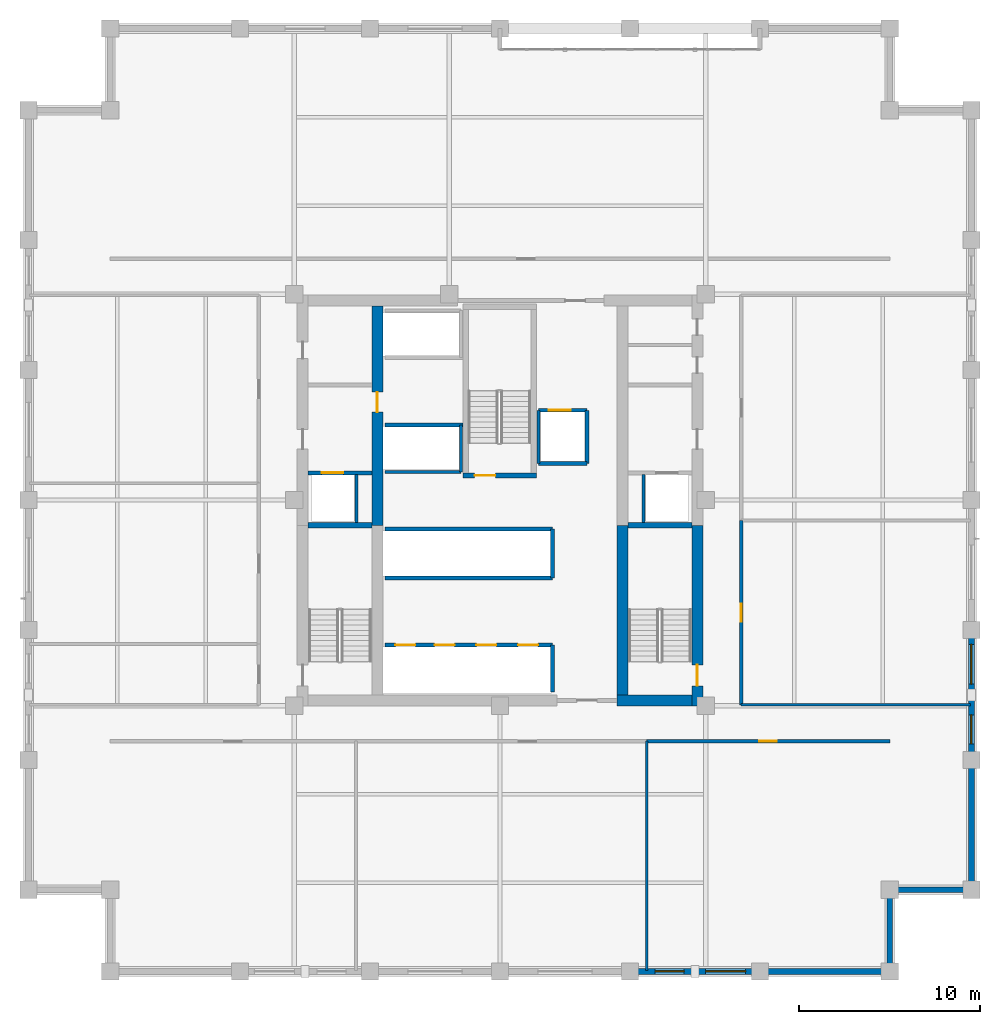
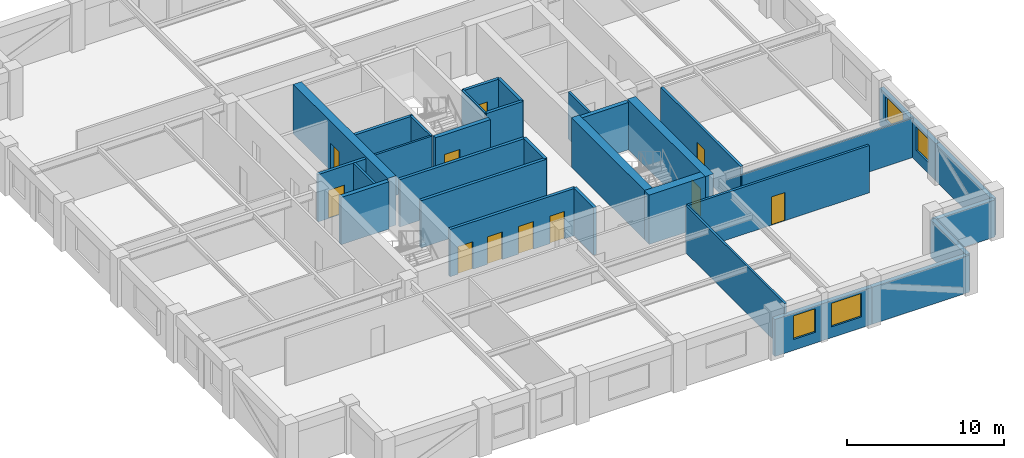
# One storey, part 7 of 11: 32 walls, 11 doors, 4 windows, 15 openings.
"""IFC4 building model written with IfcOpenShell, lengths in metres."""

from ifc_helpers import new_model, si_unit, direction, frame, frame_2d, origin, place, context, subcontext, project, spatial, rectangle, extrude, material, layer, layer_set, type_object, element, fill, save


model = new_model("IFC4")

# Units and contexts
model_context = context("Model", 3, precision=1e-05, world=origin(), true_north=direction((0.0, 1.0)))
body_context = subcontext(model_context, "Body", "Model", "MODEL_VIEW")
ifc_project = project(units=[si_unit("LENGTHUNIT", "METRE"), si_unit("AREAUNIT", "SQUARE_METRE"), si_unit("VOLUMEUNIT", "CUBIC_METRE"), si_unit("PLANEANGLEUNIT", "RADIAN"), si_unit("MASSUNIT", "GRAM", prefix="KILO")], contexts=[model_context])

# Site, building, storey
site_placement = place(None, origin())
site = spatial("IfcSite", under=ifc_project, at=site_placement, CompositionType="ELEMENT")
building_placement = place(site_placement, origin())
building = spatial("IfcBuilding", under=site, at=building_placement, Name="Nhamokura Convention Tower", CompositionType="ELEMENT")
storey_placement = place(building_placement, frame((0.0, 0.0, 133.699951171875)))
storey = spatial("IfcBuildingStorey", under=building, at=storey_placement, Name="L32", CompositionType="ELEMENT", Elevation=133.699951171875)

# Wall, openings, windows
ifc_material_1 = material(Name="Bronze-pigmented precast concrete C45/55", Category="concrete")
ifc_layer_1 = layer(ifc_material_1, 0.320068359375)
ifc_layer_set_1 = layer_set([ifc_layer_1], Name="BronzePrecastSpandrel_320")
wall_type_1 = type_object("IfcWallType", Name="BronzePrecastSpandrel_320", PredefinedType="USERDEFINED", material=ifc_layer_set_1)
wall_1_placement = place(storey_placement, frame((46.333251953125, 6.0, 0.0), z_axis=(0.0, 0.0, 1.0), x_axis=(-1.0, 0.0, 0.0)))
wall_1 = element("IfcWall", 1, at=wall_1_placement, inside=storey, type_object=wall_type_1, Name="L32 Masonry-Frame Wall SOUTH 4", ObjectType="SPANDREL_WALL", PredefinedType="USERDEFINED", context=body_context, shape_type="SweptSolid", body=[
    extrude(rectangle(XDim=7.16650390625, YDim=0.320068359375, at=frame_2d((3.583251953125, 0.0))), origin(), (0.0, 0.0, 1.0), 2.885009765625),
])
opening_1_placement = place(wall_1_placement, frame((0.791748046875, 0.0, 0.85009765625)))
opening_1 = element("IfcOpeningElement", 2, at=opening_1_placement, cuts=wall_1, Name="Opening W-06", PredefinedType="OPENING", context=body_context, shape_type="SweptSolid", body=[
    extrude(rectangle(XDim=2.199951171875, YDim=1.8349609375, at=frame_2d((1.10009765625, 0.91748046875))), frame((0.0, 0.169921875, 0.0), z_axis=(0.0, -1.0, 0.0), x_axis=(1.0, 0.0, 0.0)), (0.0, 0.0, 1.0), 0.340087890625),
])
opening_2_placement = place(wall_1_placement, frame((4.1748046875, 0.0, 0.85009765625)))
opening_2 = element("IfcOpeningElement", 3, at=opening_2_placement, cuts=wall_1, Name="Opening W-11", PredefinedType="OPENING", context=body_context, shape_type="SweptSolid", body=[
    extrude(rectangle(XDim=1.60009765625, YDim=1.8349609375, at=frame_2d((0.800048828125, 0.91748046875))), frame((0.0, 0.169921875, 0.0), z_axis=(0.0, -1.0, 0.0), x_axis=(1.0, 0.0, 0.0)), (0.0, 0.0, 1.0), 0.340087890625),
])
ifc_material_2 = material(Name="Solar-control bronze low-E double glass", Category="glass")
window_type_1 = type_object("IfcWindowType", Name="NotchCornerWindow_1600", PartitioningType="SINGLE_PANEL", PredefinedType="WINDOW", material=ifc_material_2)
window_1_placement = place(opening_2_placement, origin())
window_1 = element("IfcWindow", 4, at=window_1_placement, inside=storey, type_object=window_type_1, Name="L32 Facade Window SOUTH 4-2", OverallHeight=1.8349609375, OverallWidth=1.60009765625, PartitioningType="SINGLE_PANEL", PredefinedType="WINDOW", context=body_context, shape_type="SweptSolid", body=[
    extrude(rectangle(XDim=1.60009765625, YDim=1.8349609375, at=frame_2d((0.800048828125, 0.91748046875))), frame((0.0, 0.030029296875, 0.0), z_axis=(0.0, -1.0, 0.0), x_axis=(1.0, 0.0, 0.0)), (0.0, 0.0, 1.0), 0.06005859375),
])
fill(opening_2, window_1)
ifc_material_3 = material(Name="Solar-control bronze low-E double glass", Category="glass")
window_type_2 = type_object("IfcWindowType", Name="OfficeModuleWindow_Z2_2200", PartitioningType="SINGLE_PANEL", PredefinedType="WINDOW", material=ifc_material_3)
window_2_placement = place(opening_1_placement, origin())
window_2 = element("IfcWindow", 5, at=window_2_placement, inside=storey, type_object=window_type_2, Name="L32 Facade Window SOUTH 4-1", OverallHeight=1.8349609375, OverallWidth=2.199951171875, PartitioningType="SINGLE_PANEL", PredefinedType="WINDOW", context=body_context, shape_type="SweptSolid", body=[
    extrude(rectangle(XDim=2.199951171875, YDim=1.8349609375, at=frame_2d((1.10009765625, 0.91748046875))), frame((0.0, 0.030029296875, 0.0), z_axis=(0.0, -1.0, 0.0), x_axis=(1.0, 0.0, 0.0)), (0.0, 0.0, 1.0), 0.06005859375),
])
fill(opening_1, window_2)

# Walls
for number, where, z_axis, x_axis, name in (
    (6, (53.5, 6.0, 0.0), (0.0, 0.0, 1.0), (-1.0, 0.0, 0.0), "L32 Braced-Bay Precast Wall SOUTH 5"),
    (7, (58.0, 17.666748046875, 0.0), (0.0, 0.0, 1.0), (0.0, -1.0, 0.0), "L32 Braced-Bay Precast Wall EAST 0"),
):
    element("IfcWall", number, at=place(storey_placement, frame(where, z_axis=z_axis, x_axis=x_axis)), inside=storey, type_object=wall_type_1, Name=name, ObjectType="SPANDREL_WALL", PredefinedType="USERDEFINED", context=body_context, shape_type="SweptSolid", body=[
        extrude(rectangle(XDim=7.166748046875, YDim=0.320068359375, at=frame_2d((3.58349609375, 0.0))), origin(), (0.0, 0.0, 1.0), 2.885009765625),
    ])

# Wall, openings, windows
wall_2_placement = place(storey_placement, frame((58.0, 24.833251953125, 0.0), z_axis=(0.0, 0.0, 1.0), x_axis=(0.0, -1.0, 0.0)))
wall_2 = element("IfcWall", 8, at=wall_2_placement, inside=storey, type_object=wall_type_1, Name="L32 Masonry-Frame Wall EAST 1", ObjectType="SPANDREL_WALL", PredefinedType="USERDEFINED", context=body_context, shape_type="SweptSolid", body=[
    extrude(rectangle(XDim=7.16650390625, YDim=0.320068359375, at=frame_2d((3.583251953125, 0.0))), origin(), (0.0, 0.0, 1.0), 2.885009765625),
])
opening_3_placement = place(wall_2_placement, frame((0.791748046875, 0.0, 0.85009765625)))
opening_3 = element("IfcOpeningElement", 9, at=opening_3_placement, cuts=wall_2, Name="Opening W-06", PredefinedType="OPENING", context=body_context, shape_type="SweptSolid", body=[
    extrude(rectangle(XDim=2.199951171875, YDim=1.8349609375, at=frame_2d((1.10009765625, 0.91748046875))), frame((0.0, 0.169921875, 0.0), z_axis=(0.0, -1.0, 0.0), x_axis=(1.0, 0.0, 0.0)), (0.0, 0.0, 1.0), 0.340087890625),
])
opening_4_placement = place(wall_2_placement, frame((4.6875, 0.0, 0.85009765625)))
opening_4 = element("IfcOpeningElement", 10, at=opening_4_placement, cuts=wall_2, Name="Opening W-11", PredefinedType="OPENING", context=body_context, shape_type="SweptSolid", body=[
    extrude(rectangle(XDim=1.60009765625, YDim=1.8349609375, at=frame_2d((0.800048828125, 0.91748046875))), frame((0.0, 0.169921875, 0.0), z_axis=(0.0, -1.0, 0.0), x_axis=(1.0, 0.0, 0.0)), (0.0, 0.0, 1.0), 0.340087890625),
])
window_3_placement = place(opening_4_placement, origin())
window_3 = element("IfcWindow", 11, at=window_3_placement, inside=storey, type_object=window_type_1, Name="L32 Facade Window EAST 1-2", OverallHeight=1.8349609375, OverallWidth=1.60009765625, PartitioningType="SINGLE_PANEL", PredefinedType="WINDOW", context=body_context, shape_type="SweptSolid", body=[
    extrude(rectangle(XDim=1.60009765625, YDim=1.8349609375, at=frame_2d((0.800048828125, 0.91748046875))), frame((0.0, 0.030029296875, 0.0), z_axis=(0.0, -1.0, 0.0), x_axis=(1.0, 0.0, 0.0)), (0.0, 0.0, 1.0), 0.06005859375),
])
fill(opening_4, window_3)
window_4_placement = place(opening_3_placement, origin())
window_4 = element("IfcWindow", 12, at=window_4_placement, inside=storey, type_object=window_type_2, Name="L32 Facade Window EAST 1-1", OverallHeight=1.8349609375, OverallWidth=2.199951171875, PartitioningType="SINGLE_PANEL", PredefinedType="WINDOW", context=body_context, shape_type="SweptSolid", body=[
    extrude(rectangle(XDim=2.199951171875, YDim=1.8349609375, at=frame_2d((1.10009765625, 0.91748046875))), frame((0.0, 0.030029296875, 0.0), z_axis=(0.0, -1.0, 0.0), x_axis=(1.0, 0.0, 0.0)), (0.0, 0.0, 1.0), 0.06005859375),
])
fill(opening_3, window_4)

# Walls
for number, where, z_axis, x_axis, name in (
    (13, (53.5, 10.5, 0.0), (0.0, 0.0, 1.0), (0.0, -1.0, 0.0), "L32 Notched Corner Wall SE1"),
    (14, (58.0, 10.5, 0.0), (0.0, 0.0, 1.0), (-1.0, 0.0, 0.0), "L32 Notched Corner Wall SE2"),
):
    element("IfcWall", number, at=place(storey_placement, frame(where, z_axis=z_axis, x_axis=x_axis)), inside=storey, type_object=wall_type_1, Name=name, ObjectType="SPANDREL_WALL", PredefinedType="USERDEFINED", context=body_context, shape_type="SweptSolid", body=[
        extrude(rectangle(XDim=4.5, YDim=0.320068359375, at=frame_2d((2.25, 0.0))), origin(), (0.0, 0.0, 1.0), 2.885009765625),
    ])

# Wall, opening, door
ifc_material_4 = material(Name="Concrete C60/75", Category="concrete")
ifc_layer_2 = layer(ifc_material_4, 0.60009765625)
ifc_layer_set_2 = layer_set([ifc_layer_2], Name="CoreShearWall_600")
wall_type_2 = type_object("IfcWallType", Name="CoreShearWall_600", PredefinedType="SHEAR", material=ifc_layer_set_2)
wall_3_placement = place(storey_placement, frame((42.889892578125, 20.64990234375, 0.0), z_axis=(0.0, 0.0, 1.0), x_axis=(0.0, 1.0, 0.0)))
wall_3 = element("IfcWall", 15, at=wall_3_placement, inside=storey, type_object=wall_type_2, Name="L32 Core Shear Wall CW-ES", PredefinedType="SHEAR", context=body_context, shape_type="SweptSolid", body=[
    extrude(rectangle(XDim=9.9501953125, YDim=0.60009765625, at=frame_2d((4.97509765625, 0.0))), origin(), (0.0, 0.0, 1.0), 3.85009765625),
])
opening_5_placement = place(wall_3_placement, frame((1.10009765625, 0.0, 0.0)))
opening_5 = element("IfcOpeningElement", 16, at=opening_5_placement, cuts=wall_3, Name="Opening D-04", PredefinedType="OPENING", context=body_context, shape_type="SweptSolid", body=[
    extrude(rectangle(XDim=1.14990234375, YDim=2.14990234375, at=frame_2d((0.574951171875, 1.074951171875))), frame((0.0, 0.31005859375, 0.0), z_axis=(0.0, -1.0, 0.0), x_axis=(1.0, 0.0, 0.0)), (0.0, 0.0, 1.0), 0.6201171875),
])
ifc_material_5 = material(Name="Fire-rated steel door", Category="steel")
door_type_1 = type_object("IfcDoorType", Name="StairSmokeDoor_1150", OperationType="NOTDEFINED", PredefinedType="DOOR", material=ifc_material_5)
door_1_placement = place(opening_5_placement, origin())
door_1 = element("IfcDoor", 17, at=door_1_placement, inside=storey, type_object=door_type_1, Name="L32 Core Door INT-L32-D-ST02", OperationType="SINGLE_SWING_RIGHT", OverallHeight=2.14990234375, OverallWidth=1.14990234375, PredefinedType="DOOR", context=body_context, shape_type="SweptSolid", body=[
    extrude(rectangle(XDim=1.14990234375, YDim=2.14990234375, at=frame_2d((0.574951171875, 1.074951171875))), frame((0.0, 0.02490234375, 0.0), z_axis=(0.0, -1.0, 0.0), x_axis=(1.0, 0.0, 0.0)), (0.0, 0.0, 1.0), 0.050048828125),
])
fill(opening_5, door_1)

# Wall
wall_4_placement = place(storey_placement, frame((38.449951171875, 20.949951171875, 0.0), z_axis=(0.0, 0.0, 1.0), x_axis=(1.0, 0.0, 0.0)))
element("IfcWall", 18, at=wall_4_placement, inside=storey, type_object=wall_type_2, Name="L32 Core Shear Wall CW-S2", PredefinedType="SHEAR", context=body_context, shape_type="SweptSolid", body=[
    extrude(rectangle(XDim=4.14013671875, YDim=0.60009765625, at=frame_2d((2.070068359375, 0.0))), origin(), (0.0, 0.0, 1.0), 3.85009765625),
])

# Wall, opening, door
wall_5_placement = place(storey_placement, frame((25.239990234375, 30.60009765625, 0.0), z_axis=(0.0, 0.0, 1.0), x_axis=(0.0, 1.0, 0.0)))
wall_5 = element("IfcWall", 19, at=wall_5_placement, inside=storey, type_object=wall_type_2, Name="L32 Core Shear Wall CW-IWN", PredefinedType="SHEAR", context=body_context, shape_type="SweptSolid", body=[
    extrude(rectangle(XDim=12.099853515625, YDim=0.60009765625, at=frame_2d((6.0498046875, 0.0))), origin(), (0.0, 0.0, 1.0), 3.85009765625),
])
opening_6_placement = place(wall_5_placement, frame((6.25, 0.0, 0.0)))
opening_6 = element("IfcOpeningElement", 20, at=opening_6_placement, cuts=wall_5, Name="Opening D-05", PredefinedType="OPENING", context=body_context, shape_type="SweptSolid", body=[
    extrude(rectangle(XDim=1.10009765625, YDim=2.14990234375, at=frame_2d((0.550048828125, 1.074951171875))), frame((0.0, 0.31005859375, 0.0), z_axis=(0.0, -1.0, 0.0), x_axis=(1.0, 0.0, 0.0)), (0.0, 0.0, 1.0), 0.6201171875),
])
ifc_material_6 = material(Name="Fire-rated steel door", Category="steel")
door_type_2 = type_object("IfcDoorType", Name="FireLobbyDoor_1100", OperationType="NOTDEFINED", PredefinedType="DOOR", material=ifc_material_6)
door_2_placement = place(opening_6_placement, origin())
door_2 = element("IfcDoor", 21, at=door_2_placement, inside=storey, type_object=door_type_2, Name="L32 Core Door INT-L32-D-B3LOB", OperationType="SINGLE_SWING_LEFT", OverallHeight=2.14990234375, OverallWidth=1.10009765625, PredefinedType="DOOR", context=body_context, shape_type="SweptSolid", body=[
    extrude(rectangle(XDim=1.10009765625, YDim=2.14990234375, at=frame_2d((0.550048828125, 1.074951171875))), frame((0.0, 0.02490234375, 0.0), z_axis=(0.0, -1.0, 0.0), x_axis=(1.0, 0.0, 0.0)), (0.0, 0.0, 1.0), 0.050048828125),
])
fill(opening_6, door_2)

# Wall
wall_6_placement = place(storey_placement, frame((38.760009765625, 21.25, 0.0), z_axis=(0.0, 0.0, 1.0), x_axis=(0.0, 1.0, 0.0)))
element("IfcWall", 22, at=wall_6_placement, inside=storey, type_object=wall_type_2, Name="L32 Core Shear Wall CW-IES", PredefinedType="SHEAR", context=body_context, shape_type="SweptSolid", body=[
    extrude(rectangle(XDim=9.35009765625, YDim=0.60009765625, at=frame_2d((4.675048828125, 0.0))), origin(), (0.0, 0.0, 1.0), 3.85009765625),
])

# Wall, opening, door
ifc_material_7 = material(Name="Fire-rated gypsum and masonry partition", Category="masonry")
ifc_layer_3 = layer(ifc_material_7, 0.179931640625)
ifc_layer_set_3 = layer_set([ifc_layer_3], Name="CorridorRatedWall_180")
wall_type_3 = type_object("IfcWallType", Name="CorridorRatedWall_180", PredefinedType="STANDARD", material=ifc_layer_set_3)
wall_7_placement = place(storey_placement, frame((40.091796875, 18.699951171875, 0.0), z_axis=(0.0, 0.0, 1.0), x_axis=(1.0, 0.0, 0.0)))
wall_7 = element("IfcWall", 23, at=wall_7_placement, inside=storey, type_object=wall_type_3, Name="L32 Wall INT-L32-CW-S02", PredefinedType="STANDARD", context=body_context, shape_type="SweptSolid", body=[
    extrude(rectangle(XDim=13.408203125, YDim=0.179931640625, at=frame_2d((6.7041015625, 0.0))), origin(), (0.0, 0.0, 1.0), 3.68505859375),
])
opening_7_placement = place(wall_7_placement, frame((6.2041015625, 0.0, 0.0)))
opening_7 = element("IfcOpeningElement", 24, at=opening_7_placement, cuts=wall_7, Name="Opening D-08", PredefinedType="OPENING", context=body_context, shape_type="SweptSolid", body=[
    extrude(rectangle(XDim=0.97998046875, YDim=2.199951171875, at=frame_2d((0.489990234375, 1.10009765625))), frame((0.0, 0.099853515625, 0.0), z_axis=(0.0, -1.0, 0.0), x_axis=(1.0, 0.0, 0.0)), (0.0, 0.0, 1.0), 0.199951171875),
])
ifc_material_8 = material(Name="Solid oak hardwood", Category="wood")
door_type_3 = type_object("IfcDoorType", Name="OfficeEntryDoor_980", OperationType="NOTDEFINED", PredefinedType="DOOR", material=ifc_material_8)
door_3_placement = place(opening_7_placement, origin())
door_3 = element("IfcDoor", 25, at=door_3_placement, inside=storey, type_object=door_type_3, Name="L32 Faculty Office S03 Door", OperationType="SINGLE_SWING_LEFT", OverallHeight=2.199951171875, OverallWidth=0.97998046875, PredefinedType="DOOR", context=body_context, shape_type="SweptSolid", body=[
    extrude(rectangle(XDim=0.97998046875, YDim=2.199951171875, at=frame_2d((0.489990234375, 1.10009765625))), frame((0.0, 0.02490234375, 0.0), z_axis=(0.0, -1.0, 0.0), x_axis=(1.0, 0.0, 0.0)), (0.0, 0.0, 1.0), 0.050048828125),
])
fill(opening_7, door_3)

wall_8_placement = place(storey_placement, frame((45.300048828125, 20.699951171875, 0.0), z_axis=(0.0, 0.0, 1.0), x_axis=(0.0, 1.0, 0.0)))
wall_8 = element("IfcWall", 26, at=wall_8_placement, inside=storey, type_object=wall_type_3, Name="L32 Wall INT-L32-CW-E00", PredefinedType="STANDARD", context=body_context, shape_type="SweptSolid", body=[
    extrude(rectangle(XDim=10.175048828125, YDim=0.179931640625, at=frame_2d((5.08740234375, 0.0))), origin(), (0.0, 0.0, 1.0), 3.68505859375),
])
opening_8_placement = place(wall_8_placement, frame((4.58740234375, 0.0, 0.0)))
opening_8 = element("IfcOpeningElement", 27, at=opening_8_placement, cuts=wall_8, Name="Opening D-08", PredefinedType="OPENING", context=body_context, shape_type="SweptSolid", body=[
    extrude(rectangle(XDim=0.97998046875, YDim=2.199951171875, at=frame_2d((0.489990234375, 1.10009765625))), frame((0.0, 0.099853515625, 0.0), z_axis=(0.0, -1.0, 0.0), x_axis=(1.0, 0.0, 0.0)), (0.0, 0.0, 1.0), 0.199951171875),
])
door_4_placement = place(opening_8_placement, origin())
door_4 = element("IfcDoor", 28, at=door_4_placement, inside=storey, type_object=door_type_3, Name="L32 Reference Library E01 Door", OperationType="SINGLE_SWING_LEFT", OverallHeight=2.199951171875, OverallWidth=0.97998046875, PredefinedType="DOOR", context=body_context, shape_type="SweptSolid", body=[
    extrude(rectangle(XDim=0.97998046875, YDim=2.199951171875, at=frame_2d((0.489990234375, 1.10009765625))), frame((0.0, 0.02490234375, 0.0), z_axis=(0.0, -1.0, 0.0), x_axis=(1.0, 0.0, 0.0)), (0.0, 0.0, 1.0), 0.050048828125),
])
fill(opening_8, door_4)

ifc_material_9 = material(Name="Autoclaved concrete blockwork", Category="masonry")
ifc_layer_4 = layer(ifc_material_9, 0.219970703125)
ifc_layer_set_4 = layer_set([ifc_layer_4], Name="FireLobbyWall_220")
wall_type_4 = type_object("IfcWallType", Name="FireLobbyWall_220", PredefinedType="STANDARD", material=ifc_layer_set_4)
wall_9_placement = place(storey_placement, frame((21.409912109375, 33.5, 0.0), z_axis=(0.0, 0.0, 1.0), x_axis=(1.0, 0.0, 0.0)))
wall_9 = element("IfcWall", 29, at=wall_9_placement, inside=storey, type_object=wall_type_4, Name="L32 Wall INT-L32-FFW-S", PredefinedType="STANDARD", context=body_context, shape_type="SweptSolid", body=[
    extrude(rectangle(XDim=3.530029296875, YDim=0.219970703125, at=frame_2d((1.76513671875, 0.0))), origin(), (0.0, 0.0, 1.0), 3.68505859375),
])
opening_9_placement = place(wall_9_placement, frame((0.75, 0.0, 0.0)))
opening_9 = element("IfcOpeningElement", 30, at=opening_9_placement, cuts=wall_9, Name="Opening LD-02", PredefinedType="OPENING", context=body_context, shape_type="SweptSolid", body=[
    extrude(rectangle(XDim=1.199951171875, YDim=2.199951171875, at=frame_2d((0.60009765625, 1.10009765625))), frame((0.0, 0.119873046875, 0.0), z_axis=(0.0, -1.0, 0.0), x_axis=(1.0, 0.0, 0.0)), (0.0, 0.0, 1.0), 0.239990234375),
])
ifc_material_10 = material(Name="Anodised bronze stainless steel", Category="steel")
door_type_4 = type_object("IfcDoorType", Name="LiftLandingDoor_FireService", OperationType="DOUBLE_DOOR_SLIDING", PredefinedType="DOOR", material=ifc_material_10)
door_5_placement = place(opening_9_placement, origin())
door_5 = element("IfcDoor", 31, at=door_5_placement, inside=storey, type_object=door_type_4, Name="L32 Firefighting Lift LF-01 Door", OperationType="DOUBLE_DOOR_SLIDING", OverallHeight=2.199951171875, OverallWidth=1.199951171875, PredefinedType="DOOR", context=body_context, shape_type="SweptSolid", body=[
    extrude(rectangle(XDim=1.199951171875, YDim=2.199951171875, at=frame_2d((0.60009765625, 1.10009765625))), frame((0.0, 0.02490234375, 0.0), z_axis=(0.0, -1.0, 0.0), x_axis=(1.0, 0.0, 0.0)), (0.0, 0.0, 1.0), 0.050048828125),
])
fill(opening_9, door_5)

# Wall, openings, doors
wall_10_placement = place(storey_placement, frame((25.64990234375, 24.0, 0.0), z_axis=(0.0, 0.0, 1.0), x_axis=(1.0, 0.0, 0.0)))
wall_10 = element("IfcWall", 32, at=wall_10_placement, inside=storey, type_object=wall_type_4, Name="L32 Wall INT-L32-B1N", PredefinedType="STANDARD", context=body_context, shape_type="SweptSolid", body=[
    extrude(rectangle(XDim=9.25, YDim=0.219970703125, at=frame_2d((4.625, 0.0))), origin(), (0.0, 0.0, 1.0), 3.68505859375),
])
opening_10_placement = place(wall_10_placement, frame((0.580078125, 0.0, 0.0)))
opening_10 = element("IfcOpeningElement", 33, at=opening_10_placement, cuts=wall_10, Name="Opening LD-01", PredefinedType="OPENING", context=body_context, shape_type="SweptSolid", body=[
    extrude(rectangle(XDim=1.10009765625, YDim=2.14990234375, at=frame_2d((0.550048828125, 1.074951171875))), frame((0.0, 0.119873046875, 0.0), z_axis=(0.0, -1.0, 0.0), x_axis=(1.0, 0.0, 0.0)), (0.0, 0.0, 1.0), 0.239990234375),
])
opening_11_placement = place(wall_10_placement, frame((2.75, 0.0, 0.0)))
opening_11 = element("IfcOpeningElement", 34, at=opening_11_placement, cuts=wall_10, Name="Opening LD-01", PredefinedType="OPENING", context=body_context, shape_type="SweptSolid", body=[
    extrude(rectangle(XDim=1.10009765625, YDim=2.14990234375, at=frame_2d((0.550048828125, 1.074951171875))), frame((0.0, 0.119873046875, 0.0), z_axis=(0.0, -1.0, 0.0), x_axis=(1.0, 0.0, 0.0)), (0.0, 0.0, 1.0), 0.239990234375),
])
opening_12_placement = place(wall_10_placement, frame((5.050048828125, 0.0, 0.0)))
opening_12 = element("IfcOpeningElement", 35, at=opening_12_placement, cuts=wall_10, Name="Opening LD-01", PredefinedType="OPENING", context=body_context, shape_type="SweptSolid", body=[
    extrude(rectangle(XDim=1.10009765625, YDim=2.14990234375, at=frame_2d((0.550048828125, 1.074951171875))), frame((0.0, 0.119873046875, 0.0), z_axis=(0.0, -1.0, 0.0), x_axis=(1.0, 0.0, 0.0)), (0.0, 0.0, 1.0), 0.239990234375),
])
opening_13_placement = place(wall_10_placement, frame((7.35009765625, 0.0, 0.0)))
opening_13 = element("IfcOpeningElement", 36, at=opening_13_placement, cuts=wall_10, Name="Opening LD-01", PredefinedType="OPENING", context=body_context, shape_type="SweptSolid", body=[
    extrude(rectangle(XDim=1.10009765625, YDim=2.14990234375, at=frame_2d((0.550048828125, 1.074951171875))), frame((0.0, 0.119873046875, 0.0), z_axis=(0.0, -1.0, 0.0), x_axis=(1.0, 0.0, 0.0)), (0.0, 0.0, 1.0), 0.239990234375),
])
ifc_material_11 = material(Name="Anodised bronze stainless steel", Category="steel")
door_type_5 = type_object("IfcDoorType", Name="LiftLandingDoor_Passenger", OperationType="DOUBLE_DOOR_SLIDING", PredefinedType="DOOR", material=ifc_material_11)
door_6_placement = place(opening_10_placement, origin())
door_6 = element("IfcDoor", 37, at=door_6_placement, inside=storey, type_object=door_type_5, Name="L32 Lift LP-01 Landing Door", OperationType="DOUBLE_DOOR_SLIDING", OverallHeight=2.14990234375, OverallWidth=1.10009765625, PredefinedType="DOOR", context=body_context, shape_type="SweptSolid", body=[
    extrude(rectangle(XDim=1.10009765625, YDim=2.14990234375, at=frame_2d((0.550048828125, 1.074951171875))), frame((0.0, 0.02490234375, 0.0), z_axis=(0.0, -1.0, 0.0), x_axis=(1.0, 0.0, 0.0)), (0.0, 0.0, 1.0), 0.050048828125),
])
fill(opening_10, door_6)
door_7_placement = place(opening_11_placement, origin())
door_7 = element("IfcDoor", 38, at=door_7_placement, inside=storey, type_object=door_type_5, Name="L32 Lift LP-02 Landing Door", OperationType="DOUBLE_DOOR_SLIDING", OverallHeight=2.14990234375, OverallWidth=1.10009765625, PredefinedType="DOOR", context=body_context, shape_type="SweptSolid", body=[
    extrude(rectangle(XDim=1.10009765625, YDim=2.14990234375, at=frame_2d((0.550048828125, 1.074951171875))), frame((0.0, 0.02490234375, 0.0), z_axis=(0.0, -1.0, 0.0), x_axis=(1.0, 0.0, 0.0)), (0.0, 0.0, 1.0), 0.050048828125),
])
fill(opening_11, door_7)
door_8_placement = place(opening_12_placement, origin())
door_8 = element("IfcDoor", 39, at=door_8_placement, inside=storey, type_object=door_type_5, Name="L32 Lift LP-03 Landing Door", OperationType="DOUBLE_DOOR_SLIDING", OverallHeight=2.14990234375, OverallWidth=1.10009765625, PredefinedType="DOOR", context=body_context, shape_type="SweptSolid", body=[
    extrude(rectangle(XDim=1.10009765625, YDim=2.14990234375, at=frame_2d((0.550048828125, 1.074951171875))), frame((0.0, 0.02490234375, 0.0), z_axis=(0.0, -1.0, 0.0), x_axis=(1.0, 0.0, 0.0)), (0.0, 0.0, 1.0), 0.050048828125),
])
fill(opening_12, door_8)
door_9_placement = place(opening_13_placement, origin())
door_9 = element("IfcDoor", 40, at=door_9_placement, inside=storey, type_object=door_type_5, Name="L32 Lift LP-04 Landing Door", OperationType="DOUBLE_DOOR_SLIDING", OverallHeight=2.14990234375, OverallWidth=1.10009765625, PredefinedType="DOOR", context=body_context, shape_type="SweptSolid", body=[
    extrude(rectangle(XDim=1.10009765625, YDim=2.14990234375, at=frame_2d((0.550048828125, 1.074951171875))), frame((0.0, 0.02490234375, 0.0), z_axis=(0.0, -1.0, 0.0), x_axis=(1.0, 0.0, 0.0)), (0.0, 0.0, 1.0), 0.050048828125),
])
fill(opening_13, door_9)

# Walls
wall_11_placement = place(storey_placement, frame((34.89990234375, 21.39990234375, 0.0), z_axis=(0.0, 0.0, 1.0), x_axis=(0.0, 1.0, 0.0)))
element("IfcWall", 41, at=wall_11_placement, inside=storey, type_object=wall_type_4, Name="L32 Wall INT-L32-B1E", PredefinedType="STANDARD", context=body_context, shape_type="SweptSolid", body=[
    extrude(rectangle(XDim=2.60009765625, YDim=0.219970703125, at=frame_2d((1.300048828125, 0.0))), origin(), (0.0, 0.0, 1.0), 3.68505859375),
])
for number, where, z_axis, x_axis, name in (
    (42, (25.64990234375, 27.699951171875, 0.0), (0.0, 0.0, 1.0), (1.0, 0.0, 0.0), "L32 Wall INT-L32-B2S"),
    (43, (25.64990234375, 30.39990234375, 0.0), (0.0, 0.0, 1.0), (1.0, 0.0, 0.0), "L32 Wall INT-L32-B2N"),
):
    element("IfcWall", number, at=place(storey_placement, frame(where, z_axis=z_axis, x_axis=x_axis)), inside=storey, type_object=wall_type_4, Name=name, PredefinedType="STANDARD", context=body_context, shape_type="SweptSolid", body=[
        extrude(rectangle(XDim=9.25, YDim=0.219970703125, at=frame_2d((4.625, 0.0))), origin(), (0.0, 0.0, 1.0), 3.68505859375),
    ])
wall_12_placement = place(storey_placement, frame((34.89990234375, 27.699951171875, 0.0), z_axis=(0.0, 0.0, 1.0), x_axis=(0.0, 1.0, 0.0)))
element("IfcWall", 44, at=wall_12_placement, inside=storey, type_object=wall_type_4, Name="L32 Wall INT-L32-B2E", PredefinedType="STANDARD", context=body_context, shape_type="SweptSolid", body=[
    extrude(rectangle(XDim=2.699951171875, YDim=0.219970703125, at=frame_2d((1.35009765625, 0.0))), origin(), (0.0, 0.0, 1.0), 3.68505859375),
])
wall_13_placement = place(storey_placement, frame((25.64990234375, 36.14990234375, 0.0), z_axis=(0.0, 0.0, 1.0), x_axis=(1.0, 0.0, 0.0)))
element("IfcWall", 45, at=wall_13_placement, inside=storey, type_object=wall_type_4, Name="L32 Wall INT-L32-B3S", PredefinedType="STANDARD", context=body_context, shape_type="SweptSolid", body=[
    extrude(rectangle(XDim=4.300048828125, YDim=0.219970703125, at=frame_2d((2.14990234375, 0.0))), origin(), (0.0, 0.0, 1.0), 3.68505859375),
])

# Wall, opening, door
wall_14_placement = place(storey_placement, frame((34.1201171875, 36.949951171875, 0.0), z_axis=(0.0, 0.0, 1.0), x_axis=(1.0, 0.0, 0.0)))
wall_14 = element("IfcWall", 46, at=wall_14_placement, inside=storey, type_object=wall_type_4, Name="L32 Wall INT-L32-LSN", PredefinedType="STANDARD", context=body_context, shape_type="SweptSolid", body=[
    extrude(rectangle(XDim=2.679931640625, YDim=0.219970703125, at=frame_2d((1.33984375, 0.0))), origin(), (0.0, 0.0, 1.0), 3.68505859375),
])
opening_14_placement = place(wall_14_placement, frame((0.580078125, 0.0, 0.0)))
opening_14 = element("IfcOpeningElement", 47, at=opening_14_placement, cuts=wall_14, Name="Opening LD-02", PredefinedType="OPENING", context=body_context, shape_type="SweptSolid", body=[
    extrude(rectangle(XDim=1.199951171875, YDim=2.199951171875, at=frame_2d((0.60009765625, 1.10009765625))), frame((0.0, 0.119873046875, 0.0), z_axis=(0.0, -1.0, 0.0), x_axis=(1.0, 0.0, 0.0)), (0.0, 0.0, 1.0), 0.239990234375),
])
door_10_placement = place(opening_14_placement, origin())
door_10 = element("IfcDoor", 48, at=door_10_placement, inside=storey, type_object=door_type_4, Name="L32 Service Lift LS-01 Door", OperationType="DOUBLE_DOOR_SLIDING", OverallHeight=2.199951171875, OverallWidth=1.199951171875, PredefinedType="DOOR", context=body_context, shape_type="SweptSolid", body=[
    extrude(rectangle(XDim=1.199951171875, YDim=2.199951171875, at=frame_2d((0.60009765625, 1.10009765625))), frame((0.0, 0.02490234375, 0.0), z_axis=(0.0, -1.0, 0.0), x_axis=(1.0, 0.0, 0.0)), (0.0, 0.0, 1.0), 0.050048828125),
])
fill(opening_14, door_10)

# Walls
wall_15_placement = place(storey_placement, frame((36.800048828125, 34.02001953125, 0.0), z_axis=(0.0, 0.0, 1.0), x_axis=(0.0, 1.0, 0.0)))
element("IfcWall", 49, at=wall_15_placement, inside=storey, type_object=wall_type_4, Name="L32 Wall INT-L32-LSE", PredefinedType="STANDARD", context=body_context, shape_type="SweptSolid", body=[
    extrude(rectangle(XDim=2.929931640625, YDim=0.219970703125, at=frame_2d((1.46484375, 0.0))), origin(), (0.0, 0.0, 1.0), 3.68505859375),
])
wall_16_placement = place(storey_placement, frame((34.1201171875, 34.02001953125, 0.0), z_axis=(0.0, 0.0, 1.0), x_axis=(1.0, 0.0, 0.0)))
element("IfcWall", 50, at=wall_16_placement, inside=storey, type_object=wall_type_4, Name="L32 Wall INT-L32-LSS", PredefinedType="STANDARD", context=body_context, shape_type="SweptSolid", body=[
    extrude(rectangle(XDim=2.679931640625, YDim=0.219970703125, at=frame_2d((1.33984375, 0.0))), origin(), (0.0, 0.0, 1.0), 3.68505859375),
])
ifc_material_12 = material(Name="Acoustic gypsum stud partition", Category="masonry")
ifc_layer_5 = layer(ifc_material_12, 0.14990234375)
ifc_layer_set_5 = layer_set([ifc_layer_5], Name="InteriorPartition_150")
wall_type_5 = type_object("IfcWallType", Name="InteriorPartition_150", PredefinedType="STANDARD", material=ifc_layer_set_5)
for number, where, z_axis, x_axis, name in (
    (51, (24.080078125, 30.75, 0.0), (0.0, 0.0, 1.0), (0.0, 1.0, 0.0), "L32 Wall INT-L32-FF1-E"),
    (52, (39.919921875, 30.75, 0.0), (0.0, 0.0, 1.0), (0.0, 1.0, 0.0), "L32 Wall INT-L32-FF2-W"),
):
    element("IfcWall", number, at=place(storey_placement, frame(where, z_axis=z_axis, x_axis=x_axis)), inside=storey, type_object=wall_type_5, Name=name, PredefinedType="STANDARD", context=body_context, shape_type="SweptSolid", body=[
        extrude(rectangle(XDim=2.64990234375, YDim=0.14990234375, at=frame_2d((1.324951171875, 0.0))), origin(), (0.0, 0.0, 1.0), 3.68505859375),
    ])
wall_17_placement = place(storey_placement, frame((25.64990234375, 33.550048828125, 0.0), z_axis=(0.0, 0.0, 1.0), x_axis=(1.0, 0.0, 0.0)))
element("IfcWall", 53, at=wall_17_placement, inside=storey, type_object=wall_type_5, Name="L32 Wall INT-L32-B3A-S", PredefinedType="STANDARD", context=body_context, shape_type="SweptSolid", body=[
    extrude(rectangle(XDim=4.2001953125, YDim=0.14990234375, at=frame_2d((2.10009765625, 0.0))), origin(), (0.0, 0.0, 1.0), 3.68505859375),
])
wall_18_placement = place(storey_placement, frame((29.85009765625, 33.550048828125, 0.0), z_axis=(0.0, 0.0, 1.0), x_axis=(0.0, 1.0, 0.0)))
element("IfcWall", 54, at=wall_18_placement, inside=storey, type_object=wall_type_5, Name="L32 Wall INT-L32-B3A-E", PredefinedType="STANDARD", context=body_context, shape_type="SweptSolid", body=[
    extrude(rectangle(XDim=2.599853515625, YDim=0.14990234375, at=frame_2d((1.2998046875, 0.0))), origin(), (0.0, 0.0, 1.0), 3.68505859375),
])
wall_19_placement = place(storey_placement, frame((34.1201171875, 34.02001953125, 0.0), z_axis=(0.0, 0.0, 1.0), x_axis=(0.0, 1.0, 0.0)))
element("IfcWall", 55, at=wall_19_placement, inside=storey, type_object=wall_type_5, Name="L32 Wall INT-L32-LSW", PredefinedType="STANDARD", context=body_context, shape_type="SweptSolid", body=[
    extrude(rectangle(XDim=2.929931640625, YDim=0.14990234375, at=frame_2d((1.46484375, 0.0))), origin(), (0.0, 0.0, 1.0), 3.68505859375),
])
wall_20_placement = place(storey_placement, frame((40.091796875, 6.06005859375, 0.0), z_axis=(0.0, 0.0, 1.0), x_axis=(0.0, 1.0, 0.0)))
element("IfcWall", 56, at=wall_20_placement, inside=storey, type_object=wall_type_5, Name="L32 Wall INT-L32-RW-S02", PredefinedType="STANDARD", context=body_context, shape_type="SweptSolid", body=[
    extrude(rectangle(XDim=12.639892578125, YDim=0.14990234375, at=frame_2d((6.31982421875, 0.0))), origin(), (0.0, 0.0, 1.0), 3.68505859375),
])
wall_21_placement = place(storey_placement, frame((45.300048828125, 20.699951171875, 0.0), z_axis=(0.0, 0.0, 1.0), x_axis=(1.0, 0.0, 0.0)))
element("IfcWall", 57, at=wall_21_placement, inside=storey, type_object=wall_type_5, Name="L32 Wall INT-L32-RWB-E", PredefinedType="STANDARD", context=body_context, shape_type="SweptSolid", body=[
    extrude(rectangle(XDim=12.639892578125, YDim=0.14990234375, at=frame_2d((6.31982421875, 0.0))), origin(), (0.0, 0.0, 1.0), 3.06494140625),
])
ifc_material_13 = material(Name="Concrete C50/60", Category="concrete")
ifc_layer_6 = layer(ifc_material_13, 0.300048828125)
ifc_layer_set_6 = layer_set([ifc_layer_6], Name="ShaftEnclosureWall_300")
wall_type_6 = type_object("IfcWallType", Name="ShaftEnclosureWall_300", PredefinedType="SHEAR", material=ifc_layer_set_6)
for number, where, z_axis, x_axis, name in (
    (58, (21.409912109375, 30.60009765625, 0.0), (0.0, 0.0, 1.0), (1.0, 0.0, 0.0), "L32 Wall INT-L32-ST01-N"),
    (59, (39.06005859375, 30.60009765625, 0.0), (0.0, 0.0, 1.0), (1.0, 0.0, 0.0), "L32 Wall INT-L32-ST02-N"),
):
    element("IfcWall", number, at=place(storey_placement, frame(where, z_axis=z_axis, x_axis=x_axis)), inside=storey, type_object=wall_type_6, Name=name, PredefinedType="SHEAR", context=body_context, shape_type="SweptSolid", body=[
        extrude(rectangle(XDim=3.530029296875, YDim=0.300048828125, at=frame_2d((1.76513671875, 0.0))), origin(), (0.0, 0.0, 1.0), 3.68505859375),
    ])

# Wall, opening, door
wall_22_placement = place(storey_placement, frame((29.949951171875, 33.35009765625, 0.0), z_axis=(0.0, 0.0, 1.0), x_axis=(1.0, 0.0, 0.0)))
wall_22 = element("IfcWall", 60, at=wall_22_placement, inside=storey, type_object=wall_type_6, Name="L32 Wall INT-L32-ST03S", PredefinedType="SHEAR", context=body_context, shape_type="SweptSolid", body=[
    extrude(rectangle(XDim=4.050048828125, YDim=0.300048828125, at=frame_2d((2.02490234375, 0.0))), origin(), (0.0, 0.0, 1.0), 3.68505859375),
])
opening_15_placement = place(wall_22_placement, frame((0.64990234375, 0.0, 0.0)))
opening_15 = element("IfcOpeningElement", 61, at=opening_15_placement, cuts=wall_22, Name="Opening D-04", PredefinedType="OPENING", context=body_context, shape_type="SweptSolid", body=[
    extrude(rectangle(XDim=1.14990234375, YDim=2.14990234375, at=frame_2d((0.574951171875, 1.074951171875))), frame((0.0, 0.159912109375, 0.0), z_axis=(0.0, -1.0, 0.0), x_axis=(1.0, 0.0, 0.0)), (0.0, 0.0, 1.0), 0.320068359375),
])
door_11_placement = place(opening_15_placement, origin())
door_11 = element("IfcDoor", 62, at=door_11_placement, inside=storey, type_object=door_type_1, Name="L32 Stair ST-03 Smoke Door", OperationType="SINGLE_SWING_LEFT", OverallHeight=2.14990234375, OverallWidth=1.14990234375, PredefinedType="DOOR", context=body_context, shape_type="SweptSolid", body=[
    extrude(rectangle(XDim=1.14990234375, YDim=2.14990234375, at=frame_2d((0.574951171875, 1.074951171875))), frame((0.0, 0.02490234375, 0.0), z_axis=(0.0, -1.0, 0.0), x_axis=(1.0, 0.0, 0.0)), (0.0, 0.0, 1.0), 0.050048828125),
])
fill(opening_15, door_11)

save(model, "model.ifc")
